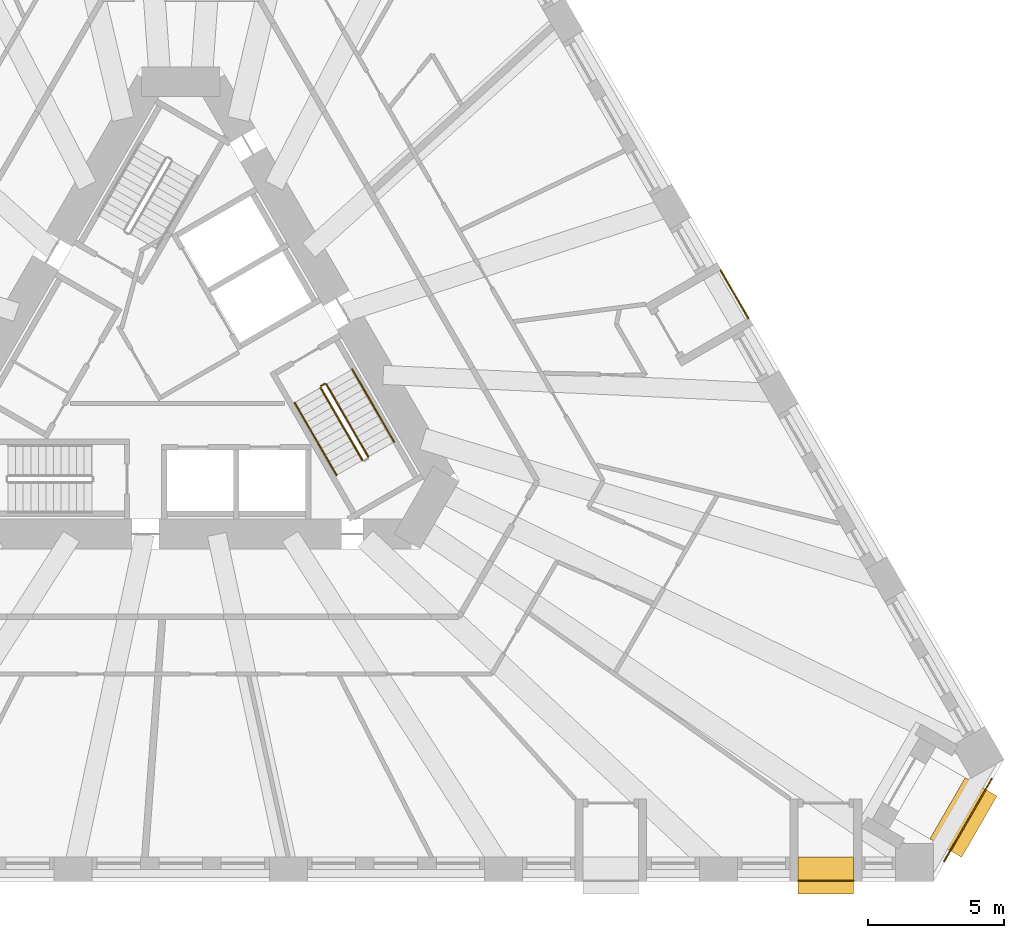
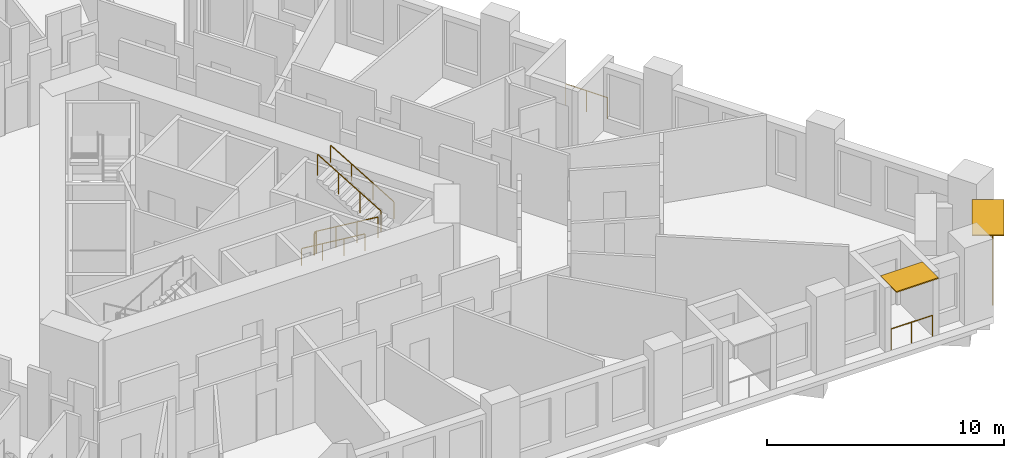
# One storey, part 13 of 14: 8 railings, 2 shading devices.
"""IFC4 building model written with IfcOpenShell, lengths in metres."""

from ifc_helpers import new_model, si_unit, direction, frame, origin, origin_2d, place, context, subcontext, project, spatial, rectangle, circle, extrude, material, layer, layer_set, type_object, element, save


model = new_model("IFC4")

# Units and contexts
model_context = context("Model", 3, precision=1e-05, world=origin(), true_north=direction((0.0, 1.0)))
body_context = subcontext(model_context, "Body", "Model", "MODEL_VIEW")
ifc_project = project(units=[si_unit("LENGTHUNIT", "METRE"), si_unit("AREAUNIT", "SQUARE_METRE"), si_unit("VOLUMEUNIT", "CUBIC_METRE"), si_unit("PLANEANGLEUNIT", "RADIAN"), si_unit("MASSUNIT", "GRAM", prefix="KILO")], contexts=[model_context])

# Site, building, storey
site_placement = place(None, origin())
site = spatial("IfcSite", under=ifc_project, at=site_placement, CompositionType="ELEMENT")
building_placement = place(site_placement, origin())
building = spatial("IfcBuilding", under=site, at=building_placement, Name="Tramontana Tower", CompositionType="ELEMENT")
storey_placement = place(building_placement, frame((0.0, 0.0, 30.0)))
storey = spatial("IfcBuildingStorey", under=building, at=storey_placement, Name="L05", CompositionType="ELEMENT", Elevation=30.0)

# Railings
ifc_material_1 = material(Name="Laminated glass balustrade", Category="glass")
railing_type_1 = type_object("IfcRailingType", Name="GD1 Loggia glass balustrade 1100", PredefinedType="BALUSTRADE", material=ifc_material_1)
railing_1_placement = place(storey_placement, frame((22.734130859375, -18.969970703125, 0.0)))
element("IfcRailing", 1, at=railing_1_placement, inside=storey, type_object=railing_type_1, Name="Loggia balustrade L05 G0S1.19", PredefinedType="BALUSTRADE", context=body_context, shape_type="SweptSolid", body=[
    extrude(circle(Radius=0.02392578125, at=origin_2d()), frame((0.0, 0.0, 1.076171875), z_axis=(1.0, 0.0, 0.0), x_axis=(0.0, 1.0, 0.0)), (0.0, 0.0, 1.0), 2.039306640625),
    extrude(circle(Radius=0.02099609375, at=origin_2d()), origin(), (0.0, 0.0, 1.0), 1.052001953125),
    extrude(circle(Radius=0.02099609375, at=origin_2d()), frame((1.01953125, 0.0, 0.0)), (0.0, 0.0, 1.0), 1.052001953125),
    extrude(circle(Radius=0.02099609375, at=origin_2d()), frame((2.039306640625, 0.0, 0.0)), (0.0, 0.0, 1.0), 1.052001953125),
])
railing_2_placement = place(storey_placement, frame((20.897216796875, 1.744873046875, 0.0)))
element("IfcRailing", 2, at=railing_2_placement, inside=storey, type_object=railing_type_1, Name="Loggia balustrade L05 G0S2.7", PredefinedType="BALUSTRADE", context=body_context, shape_type="SweptSolid", body=[
    extrude(circle(Radius=0.02392578125, at=origin_2d()), frame((0.0, 0.0, 1.076171875), z_axis=(-0.499950448838, 0.866054010271, 0.0), x_axis=(-0.866054010271, -0.499950448838, 0.0)), (0.0, 0.0, 1.0), 2.039306640625),
    extrude(circle(Radius=0.02099609375, at=origin_2d()), origin(), (0.0, 0.0, 1.0), 1.052001953125),
    extrude(circle(Radius=0.02099609375, at=origin_2d()), frame((-0.509765625, 0.883056640625, 0.0)), (0.0, 0.0, 1.0), 1.052001953125),
    extrude(circle(Radius=0.02099609375, at=origin_2d()), frame((-1.01953125, 1.76611328125, 0.0)), (0.0, 0.0, 1.0), 1.052001953125),
])
railing_3_placement = place(storey_placement, frame((29.86083984375, -15.219482421875, 0.0)))
element("IfcRailing", 3, at=railing_3_placement, inside=storey, type_object=railing_type_1, Name="Corner loggia balustrade L05 K02", PredefinedType="BALUSTRADE", context=body_context, shape_type="SweptSolid", body=[
    extrude(circle(Radius=0.02392578125, at=origin_2d()), frame((0.0, 0.0, 1.076171875), z_axis=(-0.500010275428, -0.866019471182, 0.0), x_axis=(0.866019471182, -0.500010275428, 0.0)), (0.0, 0.0, 1.0), 3.5),
    extrude(circle(Radius=0.02099609375, at=origin_2d()), origin(), (0.0, 0.0, 1.0), 1.052001953125),
    extrude(circle(Radius=0.02099609375, at=origin_2d()), frame((-0.583251953125, -1.01025390625, 0.0)), (0.0, 0.0, 1.0), 1.052001953125),
    extrude(circle(Radius=0.02099609375, at=origin_2d()), frame((-1.166748046875, -2.020751953125, 0.0)), (0.0, 0.0, 1.0), 1.052001953125),
    extrude(circle(Radius=0.02099609375, at=origin_2d()), frame((-1.75, -3.031005859375, 0.0)), (0.0, 0.0, 1.0), 1.052001953125),
])

# Shading devices
ifc_material_2 = material(Name="Precast concrete 60 MPa", Category="concrete")
ifc_layer_1 = layer(ifc_material_2, 0.06005859375)
ifc_layer_set_1 = layer_set([ifc_layer_1], Name="SS1 Stone sunshade blade 60")
shading_device_type_1 = type_object("IfcShadingDeviceType", Name="SS1 Stone sunshade blade 60", PredefinedType="USERDEFINED", material=ifc_layer_set_1)
shading_device_1_placement = place(storey_placement, frame((23.75390625, -18.77490234375, 3.239990234375), z_axis=(0.0, 0.0, 1.0), x_axis=(1.0, 0.0, 0.0)))
element("IfcShadingDevice", 4, at=shading_device_1_placement, inside=storey, type_object=shading_device_type_1, Name="Sunshade L05 G0S1.19", ObjectType="SUNSHADE", PredefinedType="USERDEFINED", context=body_context, shape_type="SweptSolid", body=[
    extrude(rectangle(XDim=2.039306640625, YDim=1.35009765625, at=origin_2d()), origin(), (0.0, 0.0, 1.0), 0.06005859375),
])
ifc_material_3 = material(Name="Precast concrete 60 MPa", Category="concrete")
ifc_layer_2 = layer(ifc_material_3, 0.070068359375)
ifc_layer_set_2 = layer_set([ifc_layer_2], Name="SS2 Stone sunshade blade 70")
shading_device_type_2 = type_object("IfcShadingDeviceType", Name="SS2 Stone sunshade blade 70", PredefinedType="USERDEFINED", material=ifc_layer_set_2)
shading_device_2_placement = place(storey_placement, frame((28.81689453125, -16.637451171875, 3.22998046875), z_axis=(0.0, 0.0, 1.0), x_axis=(-0.5, -0.866025403784, 0.0)))
element("IfcShadingDevice", 5, at=shading_device_2_placement, inside=storey, type_object=shading_device_type_2, Name="Corner sunshade L05 K02", ObjectType="SUNSHADE", PredefinedType="USERDEFINED", context=body_context, shape_type="SweptSolid", body=[
    extrude(rectangle(XDim=2.60009765625, YDim=1.35009765625, at=origin_2d()), origin(), (0.0, 0.0, 1.0), 0.070068359375),
])

# Railings
ifc_material_4 = material(Name="Painted steel", Category="steel")
railing_type_2 = type_object("IfcRailingType", Name="STAIR GUARD 1100", PredefinedType="GUARDRAIL", material=ifc_material_4)
railing_4_placement = place(storey_placement, frame((5.1474609375, -0.815673828125, 0.166748046875)))
element("IfcRailing", 6, at=railing_4_placement, inside=storey, type_object=railing_type_2, Name="L05 ST3 stair guard 1", PredefinedType="GUARDRAIL", context=body_context, shape_type="SweptSolid", body=[
    extrude(circle(Radius=0.02392578125, at=origin_2d()), frame((0.0, 0.0, 1.076171875), z_axis=(0.429671193721, -0.744159446956, 0.511477646425), x_axis=(0.866010015463, 0.500026652407, 0.0)), (0.0, 0.0, 1.0), 3.584228515625),
    extrude(circle(Radius=0.02099609375, at=origin_2d()), origin(), (0.0, 0.0, 1.0), 1.052001953125),
    extrude(circle(Radius=0.02099609375, at=origin_2d()), frame((0.513427734375, -0.88916015625, 0.611083984375)), (0.0, 0.0, 1.0), 1.052001953125),
    extrude(circle(Radius=0.02099609375, at=origin_2d()), frame((1.026611328125, -1.778076171875, 1.22216796875)), (0.0, 0.0, 1.0), 1.052001953125),
    extrude(circle(Radius=0.02099609375, at=origin_2d()), frame((1.5400390625, -2.667236328125, 1.833251953125)), (0.0, 0.0, 1.0), 1.052001953125),
])
railing_5_placement = place(storey_placement, frame((6.90380859375, -3.35791015625, 2.166748046875)))
element("IfcRailing", 7, at=railing_5_placement, inside=storey, type_object=railing_type_2, Name="L05 ST3 stair guard 2", PredefinedType="GUARDRAIL", context=body_context, shape_type="SweptSolid", body=[
    extrude(circle(Radius=0.02392578125, at=origin_2d()), frame((0.0, 0.0, 1.076171875), z_axis=(-0.429615651263, 0.74418122563, 0.511492615401), x_axis=(-0.866044340336, -0.499967199496, 0.0)), (0.0, 0.0, 1.0), 3.584228515625),
    extrude(circle(Radius=0.02099609375, at=origin_2d()), origin(), (0.0, 0.0, 1.0), 1.052001953125),
    extrude(circle(Radius=0.02099609375, at=origin_2d()), frame((-0.51318359375, 0.88916015625, 0.611083984375)), (0.0, 0.0, 1.0), 1.052001953125),
    extrude(circle(Radius=0.02099609375, at=origin_2d()), frame((-1.026611328125, 1.778076171875, 1.22216796875)), (0.0, 0.0, 1.0), 1.052001953125),
    extrude(circle(Radius=0.02099609375, at=origin_2d()), frame((-1.539794921875, 2.667236328125, 1.833251953125)), (0.0, 0.0, 1.0), 1.052001953125),
])
railing_6_placement = place(storey_placement, frame((5.165771484375, -0.747314453125, 0.0)))
element("IfcRailing", 8, at=railing_6_placement, inside=storey, type_object=railing_type_2, Name="L05 ST3 stair guard 4", PredefinedType="GUARDRAIL", context=body_context, shape_type="SweptSolid", body=[
    extrude(circle(Radius=0.02392578125, at=origin_2d()), frame((0.0, 0.0, 1.076171875), z_axis=(0.866131372301, 0.499816412211, 0.0), x_axis=(-0.499816412211, 0.866131372301, 0.0)), (0.0, 0.0, 1.0), 0.14990234375),
    extrude(circle(Radius=0.02099609375, at=origin_2d()), origin(), (0.0, 0.0, 1.0), 1.052001953125),
    extrude(circle(Radius=0.02099609375, at=origin_2d()), frame((0.1298828125, 0.074951171875, 0.0)), (0.0, 0.0, 1.0), 1.052001953125),
])
ifc_material_5 = material(Name="Painted steel", Category="steel")
railing_type_3 = type_object("IfcRailingType", Name="STAIR HANDRAIL 900", PredefinedType="HANDRAIL", material=ifc_material_5)
railing_7_placement = place(storey_placement, frame((4.19482421875, -1.365478515625, 0.166748046875)))
element("IfcRailing", 9, at=railing_7_placement, inside=storey, type_object=railing_type_3, Name="L05 ST3 stair handrail 1", PredefinedType="HANDRAIL", context=body_context, shape_type="SweptSolid", body=[
    extrude(circle(Radius=0.02392578125, at=origin_2d()), frame((0.0, 0.0, 0.8759765625), z_axis=(0.429649414936, -0.744189839504, 0.511451721109), x_axis=(0.866029832698, 0.499992328818, 0.0)), (0.0, 0.0, 1.0), 3.58447265625),
    extrude(circle(Radius=0.02099609375, at=origin_2d()), origin(), (0.0, 0.0, 1.0), 0.851806640625),
    extrude(circle(Radius=0.02099609375, at=origin_2d()), frame((0.513427734375, -0.88916015625, 0.611083984375)), (0.0, 0.0, 1.0), 0.851806640625),
    extrude(circle(Radius=0.02099609375, at=origin_2d()), frame((1.026611328125, -1.7783203125, 1.22216796875)), (0.0, 0.0, 1.0), 0.851806640625),
    extrude(circle(Radius=0.02099609375, at=origin_2d()), frame((1.5400390625, -2.66748046875, 1.833251953125)), (0.0, 0.0, 1.0), 0.851806640625),
])
railing_8_placement = place(storey_placement, frame((7.8564453125, -2.807861328125, 2.166748046875)))
element("IfcRailing", 10, at=railing_8_placement, inside=storey, type_object=railing_type_3, Name="L05 ST3 stair handrail 2", PredefinedType="HANDRAIL", context=body_context, shape_type="SweptSolid", body=[
    extrude(circle(Radius=0.02392578125, at=origin_2d()), frame((0.0, 0.0, 0.8759765625), z_axis=(-0.429615651263, 0.74418122563, 0.511492615401), x_axis=(-0.866044340336, -0.499967199496, 0.0)), (0.0, 0.0, 1.0), 3.584228515625),
    extrude(circle(Radius=0.02099609375, at=origin_2d()), origin(), (0.0, 0.0, 1.0), 0.851806640625),
    extrude(circle(Radius=0.02099609375, at=origin_2d()), frame((-0.51318359375, 0.88916015625, 0.611083984375)), (0.0, 0.0, 1.0), 0.851806640625),
    extrude(circle(Radius=0.02099609375, at=origin_2d()), frame((-1.026611328125, 1.778076171875, 1.22216796875)), (0.0, 0.0, 1.0), 0.851806640625),
    extrude(circle(Radius=0.02099609375, at=origin_2d()), frame((-1.539794921875, 2.667236328125, 1.833251953125)), (0.0, 0.0, 1.0), 0.851806640625),
])

save(model, "model.ifc")
